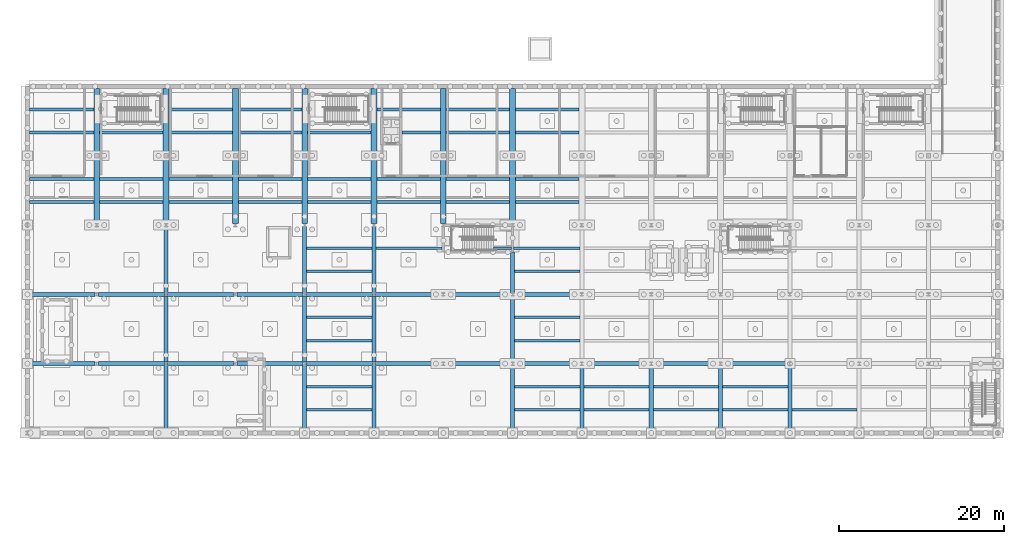
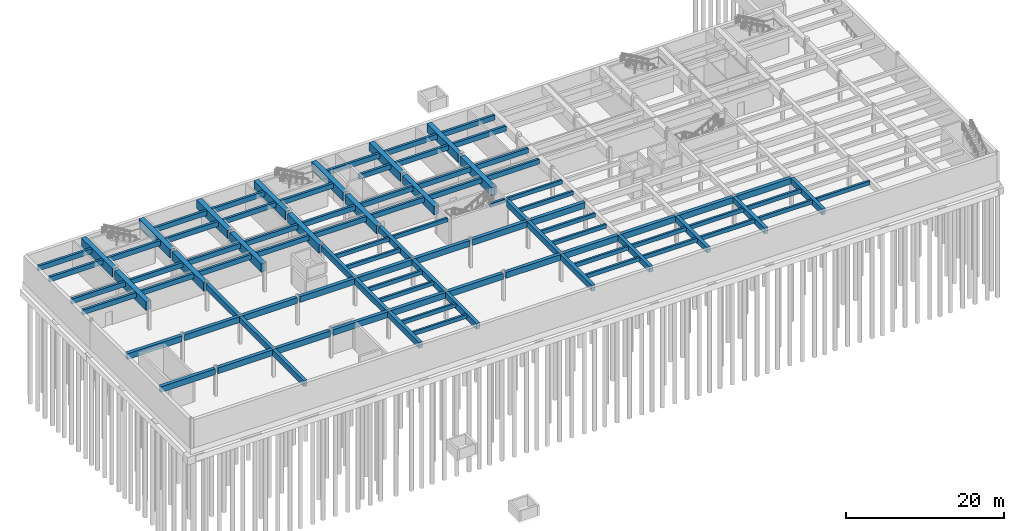
# One storey, part 17 of 33: 100 beams.
"""IFC4 building model written with IfcOpenShell, lengths in metres."""

import ifcopenshell
import ifcopenshell.guid

model = None  # the IFC model being written
_history = None  # IfcOwnerHistory: only IFC2X3 demands one
_inside = {}  # id of a spatial element -> (the spatial element, [elements in it])
_under = {}  # id of a project, library or spatial element -> (it, [spatial elements below it])
_declared = {}  # id of a project -> (the project, [libraries it declares])
_typed = {}  # id of a type object -> (the type object, [elements of that type])
_made_of = {}  # id of a material, layer set ... -> (it, [elements and type objects made of it])


def new_model(schema):
    """Start an empty IFC model of exactly this schema.

    Asked for "IFC4X3", IfcOpenShell would pick the latest addendum, in which some entities
    have other attributes; the version numbers below select the first issue.
    IFC2X3 requires an IfcOwnerHistory on every rooted entity: one is made here for all.
    """
    global model, _history
    if schema == "IFC4X3":
        model = ifcopenshell.file(schema_version=(4, 3, 0, 0))
    else:
        model = ifcopenshell.file(schema=schema)
    _inside.clear()
    _under.clear()
    _declared.clear()
    _typed.clear()
    _made_of.clear()
    _history = None
    if model.schema == "IFC2X3":
        org = make("IfcOrganization", Name="unknown")
        user = make(
            "IfcPersonAndOrganization",
            ThePerson=make("IfcPerson", FamilyName="unknown"),
            TheOrganization=org,
        )
        app = make(
            "IfcApplication",
            ApplicationDeveloper=org,
            Version="unknown",
            ApplicationFullName="unknown",
            ApplicationIdentifier="unknown",
        )
        _history = make(
            "IfcOwnerHistory",
            OwningUser=user,
            OwningApplication=app,
            ChangeAction="ADDED",
            CreationDate=0,
        )
    return model


def make(cls, **values):
    """One entity of the class cls with the attributes given. An attribute that is None is left unset."""
    return model.create_entity(
        cls, **{name: value for name, value in values.items() if value is not None}
    )


def rooted(cls, **values):
    """An entity with a GlobalId (a new one), such as an element, a storey or a relation."""
    return make(cls, GlobalId=ifcopenshell.guid.new(), OwnerHistory=_history, **values)


def si_unit(unit_type, name, prefix=None):
    """IfcSIUnit, for example si_unit("LENGTHUNIT", "METRE", prefix="MILLI")."""
    return make("IfcSIUnit", UnitType=unit_type, Prefix=prefix, Name=name)


def assignment(units):
    """IfcUnitAssignment: the units of a project."""
    return None if units is None else make("IfcUnitAssignment", Units=units)


def point(xyz):
    """IfcCartesianPoint."""
    return None if xyz is None else make("IfcCartesianPoint", Coordinates=xyz)


def direction(xyz):
    """IfcDirection."""
    return None if xyz is None else make("IfcDirection", DirectionRatios=xyz)


def frame(location, z_axis=None, x_axis=None):
    """IfcAxis2Placement3D, a coordinate frame: its origin and axes. An axis left out is left unset."""
    return make(
        "IfcAxis2Placement3D",
        Location=point(location),
        Axis=direction(z_axis),
        RefDirection=direction(x_axis),
    )


def frame_2d(location, x_axis=None):
    """IfcAxis2Placement2D, a coordinate frame in the plane: its origin and x axis."""
    return make(
        "IfcAxis2Placement2D", Location=point(location), RefDirection=direction(x_axis)
    )


def origin():
    """The frame at (0, 0, 0) with its axes left unset."""
    return frame((0.0, 0.0, 0.0))


def origin_2d():
    """The frame at (0, 0) in the plane with its x axis left unset."""
    return frame_2d((0.0, 0.0))


def place(relative_to, where):
    """IfcLocalPlacement: puts the frame where relative to a parent placement (None: the world)."""
    return make(
        "IfcLocalPlacement", PlacementRelTo=relative_to, RelativePlacement=where
    )


def context(
    kind, dimensions, precision=None, world=None, true_north=None, identifier=None
):
    """IfcGeometricRepresentationContext, for example the 3D "Model" context."""
    return make(
        "IfcGeometricRepresentationContext",
        ContextIdentifier=identifier,
        ContextType=kind,
        CoordinateSpaceDimension=dimensions,
        Precision=precision,
        WorldCoordinateSystem=world,
        TrueNorth=true_north,
    )


def subcontext(parent, identifier, kind, view, scale=None):
    """IfcGeometricRepresentationSubContext, for example "Body" below "Model"."""
    return make(
        "IfcGeometricRepresentationSubContext",
        ContextIdentifier=identifier,
        ContextType=kind,
        ParentContext=parent,
        TargetScale=scale,
        TargetView=view,
    )


def project(units=None, contexts=None):
    """IfcProject with its units and contexts."""
    return rooted(
        "IfcProject",
        Name="project",
        RepresentationContexts=contexts,
        UnitsInContext=assignment(units),
    )


def spatial(cls, under=None, at=None, **own):
    """A site, building, storey or space (cls), placed at a placement, below another one or the project."""
    s = rooted(cls, ObjectPlacement=at, **own)
    if under is not None:
        _under.setdefault(under.id(), (under, []))[1].append(s)
    return s


def profile(cls, at=None, kind="AREA", **sizes):
    """A parametric profile (cls). Its sizes go by their IFC names, for example OverallWidth=200.0."""
    return make(cls, ProfileType=kind, Position=at, **sizes)


def rectangle(**sizes):
    """IfcRectangleProfileDef."""
    return profile("IfcRectangleProfileDef", **sizes)


def extrude(swept, where, along, depth):
    """IfcExtrudedAreaSolid: the profile swept, set in the frame where, extruded along a direction by depth."""
    return make(
        "IfcExtrudedAreaSolid",
        SweptArea=swept,
        Position=where,
        ExtrudedDirection=direction(along),
        Depth=depth,
    )


def shape(context_of_items, identifier, shape_type, items):
    """IfcShapeRepresentation: the items that make up one representation, for example the "Body"."""
    return make(
        "IfcShapeRepresentation",
        ContextOfItems=context_of_items,
        RepresentationIdentifier=identifier,
        RepresentationType=shape_type,
        Items=items,
    )


def material(Name=None, Category=None):
    """IfcMaterial."""
    return make("IfcMaterial", Name=Name, Category=Category)


def material_profile(
    of_material, cross_section, Name=None, Category=None, Priority=None
):
    """IfcMaterialProfile: a cross section and its material."""
    return make(
        "IfcMaterialProfile",
        Name=Name,
        Material=of_material,
        Profile=cross_section,
        Priority=Priority,
        Category=Category,
    )


def profile_set(profiles, Name=None, composite=None):
    """IfcMaterialProfileSet."""
    return make(
        "IfcMaterialProfileSet",
        Name=Name,
        MaterialProfiles=profiles,
        CompositeProfile=composite,
    )


def made_of(thing, what):
    """Note that an element or type object is made of a material, layer set ...; save() writes the relation."""
    if what is not None:
        _made_of.setdefault(what.id(), (what, []))[1].append(thing)
    return thing


def type_object(cls, material=None, **own):
    """A type object (cls), such as IfcWallType, which elements share."""
    return made_of(rooted(cls, **own), material)


def element(
    cls,
    number,
    at=None,
    inside=None,
    cuts=None,
    type_object=None,
    material=None,
    context=None,
    identifier="Body",
    shape_type=None,
    held_by="IfcProductDefinitionShape",
    body=None,
    shapes=None,
    **own,
):
    """One element of the class cls, such as IfcWall. Its Tag is "e" and its number.

    at: its placement. inside: the storey or other place that contains it. cuts: it is an
    opening in that element (IfcRelVoidsElement). A single representation is given by context,
    identifier, shape_type and body (its items); several are given by shapes. held_by: the class
    of the entity that holds the representations. save() writes the other relations.
    """
    e = rooted(cls, Tag="e%d" % number, ObjectPlacement=at, **own)
    if body is not None:
        shapes = [shape(context, identifier, shape_type, body)]
    if shapes is not None:
        e.Representation = make(held_by, Representations=shapes)
    if inside is not None:
        _inside.setdefault(inside.id(), (inside, []))[1].append(e)
    if cuts is not None:
        rooted(
            "IfcRelVoidsElement", RelatingBuildingElement=cuts, RelatedOpeningElement=e
        )
    if type_object is not None:
        _typed.setdefault(type_object.id(), (type_object, []))[1].append(e)
    return made_of(e, material)


def aggregate(whole, parts):
    """IfcRelAggregates: a whole, such as a stair, and the parts it consists of."""
    return rooted("IfcRelAggregates", RelatingObject=whole, RelatedObjects=parts)


def save(model, path):
    """Write the relations noted so far, then the file.

    IfcRelAggregates (storeys below a building ...), IfcRelContainedInSpatialStructure (elements
    in a storey), IfcRelDefinesByType, IfcRelAssociatesMaterial and IfcRelDeclares: one each for
    every whole, place, type object, material and project.
    """
    for whole, parts in _under.values():
        aggregate(whole, parts)
    for where, things in _inside.values():
        rooted(
            "IfcRelContainedInSpatialStructure",
            RelatedElements=things,
            RelatingStructure=where,
        )
    for kind, things in _typed.values():
        rooted("IfcRelDefinesByType", RelatedObjects=things, RelatingType=kind)
    for what, things in _made_of.values():
        rooted("IfcRelAssociatesMaterial", RelatedObjects=things, RelatingMaterial=what)
    for by, libraries in _declared.values():
        rooted("IfcRelDeclares", RelatingContext=by, RelatedDefinitions=libraries)
    model.write(path)


model = new_model("IFC4")

# Units and contexts
model_context = context("Model", 3, precision=1e-05, world=origin(), true_north=direction((0.0, 1.0)))
body_context = subcontext(model_context, "Body", "Model", "MODEL_VIEW")
ifc_project = project(units=[si_unit("LENGTHUNIT", "METRE"), si_unit("AREAUNIT", "SQUARE_METRE"), si_unit("VOLUMEUNIT", "CUBIC_METRE"), si_unit("PLANEANGLEUNIT", "RADIAN"), si_unit("MASSUNIT", "GRAM", prefix="KILO")], contexts=[model_context])

# Site, building, storey
site_placement = place(None, origin())
site = spatial("IfcSite", under=ifc_project, at=site_placement, CompositionType="ELEMENT")
building_placement = place(site_placement, origin())
building = spatial("IfcBuilding", under=site, at=building_placement, Name="Ljudholm Concert House", CompositionType="ELEMENT")
storey_placement = place(building_placement, frame((0.0, 0.0, -4.60009765625)))
storey = spatial("IfcBuildingStorey", under=building, at=storey_placement, Name="B1", CompositionType="ELEMENT", Elevation=-4.60009765625)

# Beams
ifc_material_1 = material(Name="Concrete 6,500 psi", Category="concrete")
ifc_material_profile_1 = material_profile(ifc_material_1, rectangle(XDim=0.300048828125, YDim=0.60009765625, at=origin_2d()), Name="RC BEAM 300x600")
ifc_profile_set_1 = profile_set([ifc_material_profile_1], Name="Concrete 6,500 psi")
beam_type_1 = type_object("IfcBeamType", Name="RC BEAM 300x600", PredefinedType="BEAM", material=ifc_profile_set_1)
for number, where, z_axis, x_axis, name in (
    (1, (37.85009765625, 107.60009765625, 4.0), (1.0, 0.0, 0.0), (0.0, 1.0, 0.0), "Deck beam"),
    (2, (37.85009765625, 110.39990234375, 4.0), (1.0, 0.0, 0.0), (0.0, 1.0, 0.0), "Deck beam"),
    (3, (63.050048828125, 107.60009765625, 4.0), (1.0, 0.0, 0.0), (0.0, 1.0, 0.0), "Deck beam"),
    (4, (63.050048828125, 110.39990234375, 4.0), (1.0, 0.0, 0.0), (0.0, 1.0, 0.0), "Deck beam"),
):
    element("IfcBeam", number, at=place(storey_placement, frame(where, z_axis=z_axis, x_axis=x_axis)), inside=storey, type_object=beam_type_1, Name=name, PredefinedType="BEAM", context=body_context, shape_type="SweptSolid", body=[
        extrude(rectangle(XDim=0.300048828125, YDim=0.60009765625, at=origin_2d()), origin(), (0.0, 0.0, 1.0), 7.89990234375),
    ])
for number, where, z_axis, x_axis, name in (
    (5, (71.449951171875, 107.60009765625, 4.0), (1.0, 0.0, 0.0), (0.0, 1.0, 0.0), "Deck beam"),
    (6, (71.449951171875, 110.39990234375, 4.0), (1.0, 0.0, 0.0), (0.0, 1.0, 0.0), "Deck beam"),
):
    element("IfcBeam", number, at=place(storey_placement, frame(where, z_axis=z_axis, x_axis=x_axis)), inside=storey, type_object=beam_type_1, Name=name, PredefinedType="BEAM", context=body_context, shape_type="SweptSolid", body=[
        extrude(rectangle(XDim=0.300048828125, YDim=0.60009765625, at=origin_2d()), origin(), (0.0, 0.0, 1.0), 7.900146484375),
    ])
for number, where, z_axis, x_axis, name in (
    (7, (79.85009765625, 107.60009765625, 4.0), (1.0, 0.0, 0.0), (0.0, 1.0, 0.0), "Deck beam"),
    (8, (79.85009765625, 110.39990234375, 4.0), (1.0, 0.0, 0.0), (0.0, 1.0, 0.0), "Deck beam"),
    (9, (88.25, 107.60009765625, 4.0), (1.0, 0.0, 0.0), (0.0, 1.0, 0.0), "Deck beam"),
    (10, (88.25, 110.39990234375, 4.0), (1.0, 0.0, 0.0), (0.0, 1.0, 0.0), "Deck beam"),
):
    element("IfcBeam", number, at=place(storey_placement, frame(where, z_axis=z_axis, x_axis=x_axis)), inside=storey, type_object=beam_type_1, Name=name, PredefinedType="BEAM", context=body_context, shape_type="SweptSolid", body=[
        extrude(rectangle(XDim=0.300048828125, YDim=0.60009765625, at=origin_2d()), origin(), (0.0, 0.0, 1.0), 7.89990234375),
    ])
beam_1_placement = place(storey_placement, frame((96.64990234375, 107.60009765625, 4.0), z_axis=(1.0, 0.0, 0.0), x_axis=(0.0, 1.0, 0.0)))
element("IfcBeam", 11, at=beam_1_placement, inside=storey, type_object=beam_type_1, Name="Deck beam", PredefinedType="BEAM", context=body_context, shape_type="SweptSolid", body=[
    extrude(rectangle(XDim=0.300048828125, YDim=0.60009765625, at=origin_2d()), origin(), (0.0, 0.0, 1.0), 7.900146484375),
])
for number, where, z_axis, x_axis, name in (
    (12, (37.85009765625, 116.0, 4.0), (1.0, 0.0, 0.0), (0.0, 1.0, 0.0), "Deck beam"),
    (13, (37.85009765625, 118.800048828125, 4.0), (1.0, 0.0, 0.0), (0.0, 1.0, 0.0), "Deck beam"),
    (14, (63.050048828125, 116.0, 4.0), (1.0, 0.0, 0.0), (0.0, 1.0, 0.0), "Deck beam"),
    (15, (63.050048828125, 118.800048828125, 4.0), (1.0, 0.0, 0.0), (0.0, 1.0, 0.0), "Deck beam"),
    (16, (37.85009765625, 124.39990234375, 4.0), (1.0, 0.0, 0.0), (0.0, 1.0, 0.0), "Deck beam"),
    (17, (37.85009765625, 127.199951171875, 4.0), (1.0, 0.0, 0.0), (0.0, 1.0, 0.0), "Deck beam"),
):
    element("IfcBeam", number, at=place(storey_placement, frame(where, z_axis=z_axis, x_axis=x_axis)), inside=storey, type_object=beam_type_1, Name=name, PredefinedType="BEAM", context=body_context, shape_type="SweptSolid", body=[
        extrude(rectangle(XDim=0.300048828125, YDim=0.60009765625, at=origin_2d()), origin(), (0.0, 0.0, 1.0), 7.89990234375),
    ])
beam_2_placement = place(storey_placement, frame((46.25, 127.199951171875, 4.0), z_axis=(1.0, 0.0, 0.0), x_axis=(0.0, 1.0, 0.0)))
element("IfcBeam", 18, at=beam_2_placement, inside=storey, type_object=beam_type_1, Name="Deck beam", PredefinedType="BEAM", context=body_context, shape_type="SweptSolid", body=[
    extrude(rectangle(XDim=0.300048828125, YDim=0.60009765625, at=origin_2d()), origin(), (0.0, 0.0, 1.0), 8.0),
])
beam_3_placement = place(storey_placement, frame((60.494384765625, 127.199951171875, 4.0), z_axis=(1.0, 0.0, 0.0), x_axis=(0.0, 1.0, 0.0)))
element("IfcBeam", 19, at=beam_3_placement, inside=storey, type_object=beam_type_1, Name="Deck beam", PredefinedType="BEAM", context=body_context, shape_type="SweptSolid", body=[
    extrude(rectangle(XDim=0.300048828125, YDim=0.60009765625, at=origin_2d()), origin(), (0.0, 0.0, 1.0), 2.1806640625),
])
beam_4_placement = place(storey_placement, frame((63.050048828125, 124.39990234375, 4.0), z_axis=(1.0, 0.0, 0.0), x_axis=(0.0, 1.0, 0.0)))
element("IfcBeam", 20, at=beam_4_placement, inside=storey, type_object=beam_type_1, Name="Deck beam", PredefinedType="BEAM", context=body_context, shape_type="SweptSolid", body=[
    extrude(rectangle(XDim=0.300048828125, YDim=0.60009765625, at=origin_2d()), origin(), (0.0, 0.0, 1.0), 7.89990234375),
])
beam_5_placement = place(storey_placement, frame((62.925048828125, 127.199951171875, 4.0), z_axis=(1.0, 0.0, 0.0), x_axis=(0.0, 1.0, 0.0)))
element("IfcBeam", 21, at=beam_5_placement, inside=storey, type_object=beam_type_1, Name="Deck beam", PredefinedType="BEAM", context=body_context, shape_type="SweptSolid", body=[
    extrude(rectangle(XDim=0.300048828125, YDim=0.60009765625, at=origin_2d()), origin(), (0.0, 0.0, 1.0), 8.02490234375),
])
ifc_material_2 = material(Name="Concrete 6,500 psi", Category="concrete")
ifc_material_profile_2 = material_profile(ifc_material_2, rectangle(XDim=0.35009765625, YDim=0.75, at=origin_2d()), Name="RC BEAM 350x750")
ifc_profile_set_2 = profile_set([ifc_material_profile_2], Name="Concrete 6,500 psi")
beam_type_2 = type_object("IfcBeamType", Name="RC BEAM 350x750", PredefinedType="BEAM", material=ifc_profile_set_2)
beam_6_placement = place(storey_placement, frame((4.25, 132.800048828125, 3.815185546875), z_axis=(1.0, 0.0, 0.0), x_axis=(0.0, 1.0, 0.0)))
element("IfcBeam", 22, at=beam_6_placement, inside=storey, type_object=beam_type_2, Name="Deck beam", PredefinedType="BEAM", context=body_context, shape_type="SweptSolid", body=[
    extrude(rectangle(XDim=0.35009765625, YDim=0.75, at=origin_2d()), origin(), (0.0, 0.0, 1.0), 7.800048828125),
])
beam_7_placement = place(storey_placement, frame((12.75, 132.800048828125, 3.815185546875), z_axis=(1.0, 0.0, 0.0), x_axis=(0.0, 1.0, 0.0)))
element("IfcBeam", 23, at=beam_7_placement, inside=storey, type_object=beam_type_2, Name="Deck beam", PredefinedType="BEAM", context=body_context, shape_type="SweptSolid", body=[
    extrude(rectangle(XDim=0.35009765625, YDim=0.75, at=origin_2d()), origin(), (0.0, 0.0, 1.0), 7.699951171875),
])
beam_8_placement = place(storey_placement, frame((21.14990234375, 132.800048828125, 3.815185546875), z_axis=(1.0, 0.0, 0.0), x_axis=(0.0, 1.0, 0.0)))
element("IfcBeam", 24, at=beam_8_placement, inside=storey, type_object=beam_type_2, Name="Deck beam", PredefinedType="BEAM", context=body_context, shape_type="SweptSolid", body=[
    extrude(rectangle(XDim=0.35009765625, YDim=0.75, at=origin_2d()), origin(), (0.0, 0.0, 1.0), 7.7001953125),
])
for number, where, z_axis, x_axis, name in (
    (25, (29.550048828125, 132.800048828125, 3.815185546875), (1.0, 0.0, 0.0), (0.0, 1.0, 0.0), "Deck beam"),
    (26, (37.949951171875, 132.800048828125, 3.815185546875), (1.0, 0.0, 0.0), (0.0, 1.0, 0.0), "Deck beam"),
    (27, (46.35009765625, 132.800048828125, 3.815185546875), (1.0, 0.0, 0.0), (0.0, 1.0, 0.0), "Deck beam"),
    (28, (54.75, 132.800048828125, 3.815185546875), (1.0, 0.0, 0.0), (0.0, 1.0, 0.0), "Deck beam"),
):
    element("IfcBeam", number, at=place(storey_placement, frame(where, z_axis=z_axis, x_axis=x_axis)), inside=storey, type_object=beam_type_2, Name=name, PredefinedType="BEAM", context=body_context, shape_type="SweptSolid", body=[
        extrude(rectangle(XDim=0.35009765625, YDim=0.75, at=origin_2d()), origin(), (0.0, 0.0, 1.0), 7.699951171875),
    ])
beam_9_placement = place(storey_placement, frame((63.14990234375, 132.800048828125, 3.815185546875), z_axis=(1.0, 0.0, 0.0), x_axis=(0.0, 1.0, 0.0)))
element("IfcBeam", 29, at=beam_9_placement, inside=storey, type_object=beam_type_2, Name="Deck beam", PredefinedType="BEAM", context=body_context, shape_type="SweptSolid", body=[
    extrude(rectangle(XDim=0.35009765625, YDim=0.75, at=origin_2d()), origin(), (0.0, 0.0, 1.0), 7.7001953125),
])
beam_10_placement = place(storey_placement, frame((4.25, 135.60009765625, 3.815185546875), z_axis=(1.0, 0.0, 0.0), x_axis=(0.0, 1.0, 0.0)))
element("IfcBeam", 30, at=beam_10_placement, inside=storey, type_object=beam_type_2, Name="Deck beam", PredefinedType="BEAM", context=body_context, shape_type="SweptSolid", body=[
    extrude(rectangle(XDim=0.35009765625, YDim=0.75, at=origin_2d()), origin(), (0.0, 0.0, 1.0), 7.800048828125),
])
beam_11_placement = place(storey_placement, frame((12.75, 135.60009765625, 3.815185546875), z_axis=(1.0, 0.0, 0.0), x_axis=(0.0, 1.0, 0.0)))
element("IfcBeam", 31, at=beam_11_placement, inside=storey, type_object=beam_type_2, Name="Deck beam", PredefinedType="BEAM", context=body_context, shape_type="SweptSolid", body=[
    extrude(rectangle(XDim=0.35009765625, YDim=0.75, at=origin_2d()), origin(), (0.0, 0.0, 1.0), 7.699951171875),
])
beam_12_placement = place(storey_placement, frame((21.14990234375, 135.60009765625, 3.815185546875), z_axis=(1.0, 0.0, 0.0), x_axis=(0.0, 1.0, 0.0)))
element("IfcBeam", 32, at=beam_12_placement, inside=storey, type_object=beam_type_2, Name="Deck beam", PredefinedType="BEAM", context=body_context, shape_type="SweptSolid", body=[
    extrude(rectangle(XDim=0.35009765625, YDim=0.75, at=origin_2d()), origin(), (0.0, 0.0, 1.0), 7.7001953125),
])
for number, where, z_axis, x_axis, name in (
    (33, (29.550048828125, 135.60009765625, 3.815185546875), (1.0, 0.0, 0.0), (0.0, 1.0, 0.0), "Deck beam"),
    (34, (37.949951171875, 135.60009765625, 3.815185546875), (1.0, 0.0, 0.0), (0.0, 1.0, 0.0), "Deck beam"),
    (35, (46.35009765625, 135.60009765625, 3.815185546875), (1.0, 0.0, 0.0), (0.0, 1.0, 0.0), "Deck beam"),
    (36, (54.75, 135.60009765625, 3.815185546875), (1.0, 0.0, 0.0), (0.0, 1.0, 0.0), "Deck beam"),
):
    element("IfcBeam", number, at=place(storey_placement, frame(where, z_axis=z_axis, x_axis=x_axis)), inside=storey, type_object=beam_type_2, Name=name, PredefinedType="BEAM", context=body_context, shape_type="SweptSolid", body=[
        extrude(rectangle(XDim=0.35009765625, YDim=0.75, at=origin_2d()), origin(), (0.0, 0.0, 1.0), 7.699951171875),
    ])
beam_13_placement = place(storey_placement, frame((63.14990234375, 135.60009765625, 3.815185546875), z_axis=(1.0, 0.0, 0.0), x_axis=(0.0, 1.0, 0.0)))
element("IfcBeam", 37, at=beam_13_placement, inside=storey, type_object=beam_type_2, Name="Deck beam", PredefinedType="BEAM", context=body_context, shape_type="SweptSolid", body=[
    extrude(rectangle(XDim=0.35009765625, YDim=0.75, at=origin_2d()), origin(), (0.0, 0.0, 1.0), 7.7001953125),
])
beam_14_placement = place(storey_placement, frame((4.25, 141.199951171875, 3.815185546875), z_axis=(1.0, 0.0, 0.0), x_axis=(0.0, 1.0, 0.0)))
element("IfcBeam", 38, at=beam_14_placement, inside=storey, type_object=beam_type_2, Name="Deck beam", PredefinedType="BEAM", context=body_context, shape_type="SweptSolid", body=[
    extrude(rectangle(XDim=0.35009765625, YDim=0.75, at=origin_2d()), origin(), (0.0, 0.0, 1.0), 7.800048828125),
])
beam_15_placement = place(storey_placement, frame((12.75, 141.199951171875, 3.815185546875), z_axis=(1.0, 0.0, 0.0), x_axis=(0.0, 1.0, 0.0)))
element("IfcBeam", 39, at=beam_15_placement, inside=storey, type_object=beam_type_2, Name="Deck beam", PredefinedType="BEAM", context=body_context, shape_type="SweptSolid", body=[
    extrude(rectangle(XDim=0.35009765625, YDim=0.75, at=origin_2d()), origin(), (0.0, 0.0, 1.0), 7.699951171875),
])
beam_16_placement = place(storey_placement, frame((21.14990234375, 141.199951171875, 3.815185546875), z_axis=(1.0, 0.0, 0.0), x_axis=(0.0, 1.0, 0.0)))
element("IfcBeam", 40, at=beam_16_placement, inside=storey, type_object=beam_type_2, Name="Deck beam", PredefinedType="BEAM", context=body_context, shape_type="SweptSolid", body=[
    extrude(rectangle(XDim=0.35009765625, YDim=0.75, at=origin_2d()), origin(), (0.0, 0.0, 1.0), 7.7001953125),
])
for number, where, z_axis, x_axis, name in (
    (41, (29.550048828125, 141.199951171875, 3.815185546875), (1.0, 0.0, 0.0), (0.0, 1.0, 0.0), "Deck beam"),
    (42, (37.949951171875, 141.199951171875, 3.815185546875), (1.0, 0.0, 0.0), (0.0, 1.0, 0.0), "Deck beam"),
):
    element("IfcBeam", number, at=place(storey_placement, frame(where, z_axis=z_axis, x_axis=x_axis)), inside=storey, type_object=beam_type_2, Name=name, PredefinedType="BEAM", context=body_context, shape_type="SweptSolid", body=[
        extrude(rectangle(XDim=0.35009765625, YDim=0.75, at=origin_2d()), origin(), (0.0, 0.0, 1.0), 7.699951171875),
    ])
beam_17_placement = place(storey_placement, frame((49.39990234375, 141.199951171875, 3.815185546875), z_axis=(1.0, 0.0, 0.0), x_axis=(0.0, 1.0, 0.0)))
element("IfcBeam", 43, at=beam_17_placement, inside=storey, type_object=beam_type_2, Name="Deck beam", PredefinedType="BEAM", context=body_context, shape_type="SweptSolid", body=[
    extrude(rectangle(XDim=0.35009765625, YDim=0.75, at=origin_2d()), origin(), (0.0, 0.0, 1.0), 4.650146484375),
])
beam_18_placement = place(storey_placement, frame((54.75, 141.199951171875, 3.815185546875), z_axis=(1.0, 0.0, 0.0), x_axis=(0.0, 1.0, 0.0)))
element("IfcBeam", 44, at=beam_18_placement, inside=storey, type_object=beam_type_2, Name="Deck beam", PredefinedType="BEAM", context=body_context, shape_type="SweptSolid", body=[
    extrude(rectangle(XDim=0.35009765625, YDim=0.75, at=origin_2d()), origin(), (0.0, 0.0, 1.0), 7.699951171875),
])
beam_19_placement = place(storey_placement, frame((63.14990234375, 141.199951171875, 3.815185546875), z_axis=(1.0, 0.0, 0.0), x_axis=(0.0, 1.0, 0.0)))
element("IfcBeam", 45, at=beam_19_placement, inside=storey, type_object=beam_type_2, Name="Deck beam", PredefinedType="BEAM", context=body_context, shape_type="SweptSolid", body=[
    extrude(rectangle(XDim=0.35009765625, YDim=0.75, at=origin_2d()), origin(), (0.0, 0.0, 1.0), 7.7001953125),
])
beam_20_placement = place(storey_placement, frame((4.25, 144.0, 3.815185546875), z_axis=(1.0, 0.0, 0.0), x_axis=(0.0, 1.0, 0.0)))
element("IfcBeam", 46, at=beam_20_placement, inside=storey, type_object=beam_type_2, Name="Deck beam", PredefinedType="BEAM", context=body_context, shape_type="SweptSolid", body=[
    extrude(rectangle(XDim=0.35009765625, YDim=0.75, at=origin_2d()), origin(), (0.0, 0.0, 1.0), 7.800048828125),
])
beam_21_placement = place(storey_placement, frame((21.14990234375, 144.0, 3.815185546875), z_axis=(1.0, 0.0, 0.0), x_axis=(0.0, 1.0, 0.0)))
element("IfcBeam", 47, at=beam_21_placement, inside=storey, type_object=beam_type_2, Name="Deck beam", PredefinedType="BEAM", context=body_context, shape_type="SweptSolid", body=[
    extrude(rectangle(XDim=0.35009765625, YDim=0.75, at=origin_2d()), origin(), (0.0, 0.0, 1.0), 7.7001953125),
])
for number, where, z_axis, x_axis, name in (
    (48, (29.550048828125, 144.0, 3.815185546875), (1.0, 0.0, 0.0), (0.0, 1.0, 0.0), "Deck beam"),
    (49, (46.35009765625, 144.0, 3.815185546875), (1.0, 0.0, 0.0), (0.0, 1.0, 0.0), "Deck beam"),
    (50, (54.75, 144.0, 3.815185546875), (1.0, 0.0, 0.0), (0.0, 1.0, 0.0), "Deck beam"),
):
    element("IfcBeam", number, at=place(storey_placement, frame(where, z_axis=z_axis, x_axis=x_axis)), inside=storey, type_object=beam_type_2, Name=name, PredefinedType="BEAM", context=body_context, shape_type="SweptSolid", body=[
        extrude(rectangle(XDim=0.35009765625, YDim=0.75, at=origin_2d()), origin(), (0.0, 0.0, 1.0), 7.699951171875),
    ])
beam_22_placement = place(storey_placement, frame((63.14990234375, 144.0, 3.815185546875), z_axis=(1.0, 0.0, 0.0), x_axis=(0.0, 1.0, 0.0)))
element("IfcBeam", 51, at=beam_22_placement, inside=storey, type_object=beam_type_2, Name="Deck beam", PredefinedType="BEAM", context=body_context, shape_type="SweptSolid", body=[
    extrude(rectangle(XDim=0.35009765625, YDim=0.75, at=origin_2d()), origin(), (0.0, 0.0, 1.0), 7.7001953125),
])
ifc_material_3 = material(Name="Concrete 6,500 psi", Category="concrete")
ifc_material_profile_3 = material_profile(ifc_material_3, rectangle(XDim=0.5, YDim=0.89990234375, at=origin_2d()), Name="RC BEAM 500x900")
ifc_profile_set_3 = profile_set([ifc_material_profile_3], Name="Concrete 6,500 psi")
beam_type_3 = type_object("IfcBeamType", Name="RC BEAM 500x900", PredefinedType="BEAM", material=ifc_profile_set_3)
beam_23_placement = place(storey_placement, frame((20.800048828125, 105.050048828125, 3.85009765625), z_axis=(0.0, 1.0, 0.0), x_axis=(-1.0, 0.0, 0.0)))
element("IfcBeam", 52, at=beam_23_placement, inside=storey, type_object=beam_type_3, Name="Deck girder", PredefinedType="BEAM", context=body_context, shape_type="SweptSolid", body=[
    extrude(rectangle(XDim=0.5, YDim=0.89990234375, at=origin_2d()), origin(), (0.0, 0.0, 1.0), 7.96337890625),
])
for number, where, z_axis, x_axis, name in (
    (53, (20.800048828125, 113.38671875, 3.85009765625), (0.0, 1.0, 0.0), (-1.0, 0.0, 0.0), "Deck girder"),
    (54, (20.800048828125, 121.78662109375, 3.85009765625), (0.0, 1.0, 0.0), (-1.0, 0.0, 0.0), "Deck girder"),
):
    element("IfcBeam", number, at=place(storey_placement, frame(where, z_axis=z_axis, x_axis=x_axis)), inside=storey, type_object=beam_type_3, Name=name, PredefinedType="BEAM", context=body_context, shape_type="SweptSolid", body=[
        extrude(rectangle(XDim=0.5, YDim=0.89990234375, at=origin_2d()), origin(), (0.0, 0.0, 1.0), 8.026611328125),
    ])
beam_24_placement = place(storey_placement, frame((37.60009765625, 105.050048828125, 3.85009765625), z_axis=(0.0, 1.0, 0.0), x_axis=(-1.0, 0.0, 0.0)))
element("IfcBeam", 55, at=beam_24_placement, inside=storey, type_object=beam_type_3, Name="Deck girder", PredefinedType="BEAM", context=body_context, shape_type="SweptSolid", body=[
    extrude(rectangle(XDim=0.5, YDim=0.89990234375, at=origin_2d()), origin(), (0.0, 0.0, 1.0), 7.96337890625),
])
for number, where, z_axis, x_axis, name in (
    (56, (37.60009765625, 113.38671875, 3.85009765625), (0.0, 1.0, 0.0), (-1.0, 0.0, 0.0), "Deck girder"),
    (57, (37.60009765625, 121.78662109375, 3.85009765625), (0.0, 1.0, 0.0), (-1.0, 0.0, 0.0), "Deck girder"),
):
    element("IfcBeam", number, at=place(storey_placement, frame(where, z_axis=z_axis, x_axis=x_axis)), inside=storey, type_object=beam_type_3, Name=name, PredefinedType="BEAM", context=body_context, shape_type="SweptSolid", body=[
        extrude(rectangle(XDim=0.5, YDim=0.89990234375, at=origin_2d()), origin(), (0.0, 0.0, 1.0), 8.026611328125),
    ])
beam_25_placement = place(storey_placement, frame((46.0, 105.050048828125, 3.85009765625), z_axis=(0.0, 1.0, 0.0), x_axis=(-1.0, 0.0, 0.0)))
element("IfcBeam", 58, at=beam_25_placement, inside=storey, type_object=beam_type_3, Name="Deck girder", PredefinedType="BEAM", context=body_context, shape_type="SweptSolid", body=[
    extrude(rectangle(XDim=0.5, YDim=0.89990234375, at=origin_2d()), origin(), (0.0, 0.0, 1.0), 7.96337890625),
])
for number, where, z_axis, x_axis, name in (
    (59, (46.0, 113.38671875, 3.85009765625), (0.0, 1.0, 0.0), (-1.0, 0.0, 0.0), "Deck girder"),
    (60, (46.0, 121.78662109375, 3.85009765625), (0.0, 1.0, 0.0), (-1.0, 0.0, 0.0), "Deck girder"),
):
    element("IfcBeam", number, at=place(storey_placement, frame(where, z_axis=z_axis, x_axis=x_axis)), inside=storey, type_object=beam_type_3, Name=name, PredefinedType="BEAM", context=body_context, shape_type="SweptSolid", body=[
        extrude(rectangle(XDim=0.5, YDim=0.89990234375, at=origin_2d()), origin(), (0.0, 0.0, 1.0), 8.026611328125),
    ])
beam_26_placement = place(storey_placement, frame((62.800048828125, 105.050048828125, 3.85009765625), z_axis=(0.0, 1.0, 0.0), x_axis=(-1.0, 0.0, 0.0)))
element("IfcBeam", 61, at=beam_26_placement, inside=storey, type_object=beam_type_3, Name="Deck girder", PredefinedType="BEAM", context=body_context, shape_type="SweptSolid", body=[
    extrude(rectangle(XDim=0.5, YDim=0.89990234375, at=origin_2d()), origin(), (0.0, 0.0, 1.0), 7.96337890625),
])
beam_27_placement = place(storey_placement, frame((62.800048828125, 113.38671875, 3.85009765625), z_axis=(0.0, 1.0, 0.0), x_axis=(-1.0, 0.0, 0.0)))
element("IfcBeam", 62, at=beam_27_placement, inside=storey, type_object=beam_type_3, Name="Deck girder", PredefinedType="BEAM", context=body_context, shape_type="SweptSolid", body=[
    extrude(rectangle(XDim=0.5, YDim=0.89990234375, at=origin_2d()), origin(), (0.0, 0.0, 1.0), 8.026611328125),
])
beam_28_placement = place(storey_placement, frame((62.800048828125, 121.78662109375, 3.85009765625), z_axis=(0.0, 1.0, 0.0), x_axis=(-1.0, 0.0, 0.0)))
element("IfcBeam", 63, at=beam_28_placement, inside=storey, type_object=beam_type_3, Name="Deck girder", PredefinedType="BEAM", context=body_context, shape_type="SweptSolid", body=[
    extrude(rectangle(XDim=0.5, YDim=0.89990234375, at=origin_2d()), origin(), (0.0, 0.0, 1.0), 4.9384765625),
])
for number, where, z_axis, x_axis, name in (
    (64, (71.199951171875, 105.050048828125, 3.85009765625), (0.0, 1.0, 0.0), (-1.0, 0.0, 0.0), "Deck girder"),
    (65, (79.60009765625, 105.050048828125, 3.85009765625), (0.0, 1.0, 0.0), (-1.0, 0.0, 0.0), "Deck girder"),
    (66, (88.0, 105.050048828125, 3.85009765625), (0.0, 1.0, 0.0), (-1.0, 0.0, 0.0), "Deck girder"),
    (67, (96.39990234375, 105.050048828125, 3.85009765625), (0.0, 1.0, 0.0), (-1.0, 0.0, 0.0), "Deck girder"),
    (68, (4.25, 113.199951171875, 3.85009765625), (1.0, 0.0, 0.0), (0.0, 1.0, 0.0), "Deck girder"),
):
    element("IfcBeam", number, at=place(storey_placement, frame(where, z_axis=z_axis, x_axis=x_axis)), inside=storey, type_object=beam_type_3, Name=name, PredefinedType="BEAM", context=body_context, shape_type="SweptSolid", body=[
        extrude(rectangle(XDim=0.5, YDim=0.89990234375, at=origin_2d()), origin(), (0.0, 0.0, 1.0), 7.96337890625),
    ])
beam_29_placement = place(storey_placement, frame((12.586669921875, 113.199951171875, 3.85009765625), z_axis=(1.0, 0.0, 0.0), x_axis=(0.0, 1.0, 0.0)))
element("IfcBeam", 69, at=beam_29_placement, inside=storey, type_object=beam_type_3, Name="Deck girder", PredefinedType="BEAM", context=body_context, shape_type="SweptSolid", body=[
    extrude(rectangle(XDim=0.5, YDim=0.89990234375, at=origin_2d()), origin(), (0.0, 0.0, 1.0), 8.026611328125),
])
beam_30_placement = place(storey_placement, frame((20.986572265625, 113.199951171875, 3.85009765625), z_axis=(1.0, 0.0, 0.0), x_axis=(0.0, 1.0, 0.0)))
element("IfcBeam", 70, at=beam_30_placement, inside=storey, type_object=beam_type_3, Name="Deck girder", PredefinedType="BEAM", context=body_context, shape_type="SweptSolid", body=[
    extrude(rectangle(XDim=0.5, YDim=0.89990234375, at=origin_2d()), origin(), (0.0, 0.0, 1.0), 8.02685546875),
])
for number, where, z_axis, x_axis, name in (
    (71, (29.38671875, 113.199951171875, 3.85009765625), (1.0, 0.0, 0.0), (0.0, 1.0, 0.0), "Deck girder"),
    (72, (37.78662109375, 113.199951171875, 3.85009765625), (1.0, 0.0, 0.0), (0.0, 1.0, 0.0), "Deck girder"),
    (73, (46.186767578125, 113.199951171875, 3.85009765625), (1.0, 0.0, 0.0), (0.0, 1.0, 0.0), "Deck girder"),
    (74, (54.586669921875, 113.199951171875, 3.85009765625), (1.0, 0.0, 0.0), (0.0, 1.0, 0.0), "Deck girder"),
):
    element("IfcBeam", number, at=place(storey_placement, frame(where, z_axis=z_axis, x_axis=x_axis)), inside=storey, type_object=beam_type_3, Name=name, PredefinedType="BEAM", context=body_context, shape_type="SweptSolid", body=[
        extrude(rectangle(XDim=0.5, YDim=0.89990234375, at=origin_2d()), origin(), (0.0, 0.0, 1.0), 8.026611328125),
    ])
beam_31_placement = place(storey_placement, frame((62.986572265625, 113.199951171875, 3.85009765625), z_axis=(1.0, 0.0, 0.0), x_axis=(0.0, 1.0, 0.0)))
element("IfcBeam", 75, at=beam_31_placement, inside=storey, type_object=beam_type_3, Name="Deck girder", PredefinedType="BEAM", context=body_context, shape_type="SweptSolid", body=[
    extrude(rectangle(XDim=0.5, YDim=0.89990234375, at=origin_2d()), origin(), (0.0, 0.0, 1.0), 8.02685546875),
])
for number, where, z_axis, x_axis, name in (
    (76, (71.38671875, 113.199951171875, 3.85009765625), (1.0, 0.0, 0.0), (0.0, 1.0, 0.0), "Deck girder"),
    (77, (79.78662109375, 113.199951171875, 3.85009765625), (1.0, 0.0, 0.0), (0.0, 1.0, 0.0), "Deck girder"),
    (78, (88.186767578125, 113.199951171875, 3.85009765625), (1.0, 0.0, 0.0), (0.0, 1.0, 0.0), "Deck girder"),
):
    element("IfcBeam", number, at=place(storey_placement, frame(where, z_axis=z_axis, x_axis=x_axis)), inside=storey, type_object=beam_type_3, Name=name, PredefinedType="BEAM", context=body_context, shape_type="SweptSolid", body=[
        extrude(rectangle(XDim=0.5, YDim=0.89990234375, at=origin_2d()), origin(), (0.0, 0.0, 1.0), 8.026611328125),
    ])
beam_32_placement = place(storey_placement, frame((4.25, 121.60009765625, 3.85009765625), z_axis=(1.0, 0.0, 0.0), x_axis=(0.0, 1.0, 0.0)))
element("IfcBeam", 79, at=beam_32_placement, inside=storey, type_object=beam_type_3, Name="Deck girder", PredefinedType="BEAM", context=body_context, shape_type="SweptSolid", body=[
    extrude(rectangle(XDim=0.5, YDim=0.89990234375, at=origin_2d()), origin(), (0.0, 0.0, 1.0), 7.96337890625),
])
beam_33_placement = place(storey_placement, frame((12.586669921875, 121.60009765625, 3.85009765625), z_axis=(1.0, 0.0, 0.0), x_axis=(0.0, 1.0, 0.0)))
element("IfcBeam", 80, at=beam_33_placement, inside=storey, type_object=beam_type_3, Name="Deck girder", PredefinedType="BEAM", context=body_context, shape_type="SweptSolid", body=[
    extrude(rectangle(XDim=0.5, YDim=0.89990234375, at=origin_2d()), origin(), (0.0, 0.0, 1.0), 8.026611328125),
])
beam_34_placement = place(storey_placement, frame((20.986572265625, 121.60009765625, 3.85009765625), z_axis=(1.0, 0.0, 0.0), x_axis=(0.0, 1.0, 0.0)))
element("IfcBeam", 81, at=beam_34_placement, inside=storey, type_object=beam_type_3, Name="Deck girder", PredefinedType="BEAM", context=body_context, shape_type="SweptSolid", body=[
    extrude(rectangle(XDim=0.5, YDim=0.89990234375, at=origin_2d()), origin(), (0.0, 0.0, 1.0), 8.02685546875),
])
for number, where, z_axis, x_axis, name in (
    (82, (29.38671875, 121.60009765625, 3.85009765625), (1.0, 0.0, 0.0), (0.0, 1.0, 0.0), "Deck girder"),
    (83, (37.78662109375, 121.60009765625, 3.85009765625), (1.0, 0.0, 0.0), (0.0, 1.0, 0.0), "Deck girder"),
    (84, (46.186767578125, 121.60009765625, 3.85009765625), (1.0, 0.0, 0.0), (0.0, 1.0, 0.0), "Deck girder"),
    (85, (54.586669921875, 121.60009765625, 3.85009765625), (1.0, 0.0, 0.0), (0.0, 1.0, 0.0), "Deck girder"),
):
    element("IfcBeam", number, at=place(storey_placement, frame(where, z_axis=z_axis, x_axis=x_axis)), inside=storey, type_object=beam_type_3, Name=name, PredefinedType="BEAM", context=body_context, shape_type="SweptSolid", body=[
        extrude(rectangle(XDim=0.5, YDim=0.89990234375, at=origin_2d()), origin(), (0.0, 0.0, 1.0), 8.026611328125),
    ])
beam_35_placement = place(storey_placement, frame((62.986572265625, 121.60009765625, 3.85009765625), z_axis=(1.0, 0.0, 0.0), x_axis=(0.0, 1.0, 0.0)))
element("IfcBeam", 86, at=beam_35_placement, inside=storey, type_object=beam_type_3, Name="Deck girder", PredefinedType="BEAM", context=body_context, shape_type="SweptSolid", body=[
    extrude(rectangle(XDim=0.5, YDim=0.89990234375, at=origin_2d()), origin(), (0.0, 0.0, 1.0), 8.02685546875),
])
ifc_material_4 = material(Name="Concrete 6,500 psi", Category="concrete")
ifc_material_profile_4 = material_profile(ifc_material_4, rectangle(XDim=0.699951171875, YDim=1.300048828125, at=origin_2d()), Name="RC BEAM 700x1300")
ifc_profile_set_4 = profile_set([ifc_material_profile_4], Name="Concrete 6,500 psi")
beam_type_4 = type_object("IfcBeamType", Name="RC BEAM 700x1300", PredefinedType="BEAM", material=ifc_profile_set_4)
beam_36_placement = place(storey_placement, frame((12.39990234375, 130.186767578125, 3.5400390625), z_axis=(0.0, 1.0, 0.0), x_axis=(-1.0, 0.0, 0.0)))
element("IfcBeam", 87, at=beam_36_placement, inside=storey, type_object=beam_type_4, Name="Deck girder", PredefinedType="BEAM", context=body_context, shape_type="SweptSolid", body=[
    extrude(rectangle(XDim=0.699951171875, YDim=1.300048828125, at=origin_2d()), origin(), (0.0, 0.0, 1.0), 7.963134765625),
])
beam_37_placement = place(storey_placement, frame((12.39990234375, 138.64990234375, 3.5400390625), z_axis=(0.0, 1.0, 0.0), x_axis=(-1.0, 0.0, 0.0)))
element("IfcBeam", 88, at=beam_37_placement, inside=storey, type_object=beam_type_4, Name="Deck girder", PredefinedType="BEAM", context=body_context, shape_type="SweptSolid", body=[
    extrude(rectangle(XDim=0.699951171875, YDim=1.300048828125, at=origin_2d()), origin(), (0.0, 0.0, 1.0), 7.900146484375),
])
beam_38_placement = place(storey_placement, frame((20.800048828125, 130.186767578125, 3.5400390625), z_axis=(0.0, 1.0, 0.0), x_axis=(-1.0, 0.0, 0.0)))
element("IfcBeam", 89, at=beam_38_placement, inside=storey, type_object=beam_type_4, Name="Deck girder", PredefinedType="BEAM", context=body_context, shape_type="SweptSolid", body=[
    extrude(rectangle(XDim=0.699951171875, YDim=1.300048828125, at=origin_2d()), origin(), (0.0, 0.0, 1.0), 7.963134765625),
])
beam_39_placement = place(storey_placement, frame((20.800048828125, 138.64990234375, 3.5400390625), z_axis=(0.0, 1.0, 0.0), x_axis=(-1.0, 0.0, 0.0)))
element("IfcBeam", 90, at=beam_39_placement, inside=storey, type_object=beam_type_4, Name="Deck girder", PredefinedType="BEAM", context=body_context, shape_type="SweptSolid", body=[
    extrude(rectangle(XDim=0.699951171875, YDim=1.300048828125, at=origin_2d()), origin(), (0.0, 0.0, 1.0), 7.900146484375),
])
beam_40_placement = place(storey_placement, frame((29.199951171875, 130.186767578125, 3.5400390625), z_axis=(0.0, 1.0, 0.0), x_axis=(-1.0, 0.0, 0.0)))
element("IfcBeam", 91, at=beam_40_placement, inside=storey, type_object=beam_type_4, Name="Deck girder", PredefinedType="BEAM", context=body_context, shape_type="SweptSolid", body=[
    extrude(rectangle(XDim=0.699951171875, YDim=1.300048828125, at=origin_2d()), origin(), (0.0, 0.0, 1.0), 7.963134765625),
])
beam_41_placement = place(storey_placement, frame((29.199951171875, 138.64990234375, 3.5400390625), z_axis=(0.0, 1.0, 0.0), x_axis=(-1.0, 0.0, 0.0)))
element("IfcBeam", 92, at=beam_41_placement, inside=storey, type_object=beam_type_4, Name="Deck girder", PredefinedType="BEAM", context=body_context, shape_type="SweptSolid", body=[
    extrude(rectangle(XDim=0.699951171875, YDim=1.300048828125, at=origin_2d()), origin(), (0.0, 0.0, 1.0), 7.900146484375),
])
beam_42_placement = place(storey_placement, frame((37.60009765625, 130.186767578125, 3.5400390625), z_axis=(0.0, 1.0, 0.0), x_axis=(-1.0, 0.0, 0.0)))
element("IfcBeam", 93, at=beam_42_placement, inside=storey, type_object=beam_type_4, Name="Deck girder", PredefinedType="BEAM", context=body_context, shape_type="SweptSolid", body=[
    extrude(rectangle(XDim=0.699951171875, YDim=1.300048828125, at=origin_2d()), origin(), (0.0, 0.0, 1.0), 7.963134765625),
])
beam_43_placement = place(storey_placement, frame((37.60009765625, 138.64990234375, 3.5400390625), z_axis=(0.0, 1.0, 0.0), x_axis=(-1.0, 0.0, 0.0)))
element("IfcBeam", 94, at=beam_43_placement, inside=storey, type_object=beam_type_4, Name="Deck girder", PredefinedType="BEAM", context=body_context, shape_type="SweptSolid", body=[
    extrude(rectangle(XDim=0.699951171875, YDim=1.300048828125, at=origin_2d()), origin(), (0.0, 0.0, 1.0), 7.900146484375),
])
beam_44_placement = place(storey_placement, frame((46.0, 130.186767578125, 3.5400390625), z_axis=(0.0, 1.0, 0.0), x_axis=(-1.0, 0.0, 0.0)))
element("IfcBeam", 95, at=beam_44_placement, inside=storey, type_object=beam_type_4, Name="Deck girder", PredefinedType="BEAM", context=body_context, shape_type="SweptSolid", body=[
    extrude(rectangle(XDim=0.699951171875, YDim=1.300048828125, at=origin_2d()), origin(), (0.0, 0.0, 1.0), 7.963134765625),
])
beam_45_placement = place(storey_placement, frame((46.0, 138.64990234375, 3.5400390625), z_axis=(0.0, 1.0, 0.0), x_axis=(-1.0, 0.0, 0.0)))
element("IfcBeam", 96, at=beam_45_placement, inside=storey, type_object=beam_type_4, Name="Deck girder", PredefinedType="BEAM", context=body_context, shape_type="SweptSolid", body=[
    extrude(rectangle(XDim=0.699951171875, YDim=1.300048828125, at=origin_2d()), origin(), (0.0, 0.0, 1.0), 7.900146484375),
])
beam_46_placement = place(storey_placement, frame((54.39990234375, 130.186767578125, 3.5400390625), z_axis=(0.0, 1.0, 0.0), x_axis=(-1.0, 0.0, 0.0)))
element("IfcBeam", 97, at=beam_46_placement, inside=storey, type_object=beam_type_4, Name="Deck girder", PredefinedType="BEAM", context=body_context, shape_type="SweptSolid", body=[
    extrude(rectangle(XDim=0.699951171875, YDim=1.300048828125, at=origin_2d()), origin(), (0.0, 0.0, 1.0), 7.963134765625),
])
beam_47_placement = place(storey_placement, frame((54.39990234375, 138.64990234375, 3.5400390625), z_axis=(0.0, 1.0, 0.0), x_axis=(-1.0, 0.0, 0.0)))
element("IfcBeam", 98, at=beam_47_placement, inside=storey, type_object=beam_type_4, Name="Deck girder", PredefinedType="BEAM", context=body_context, shape_type="SweptSolid", body=[
    extrude(rectangle(XDim=0.699951171875, YDim=1.300048828125, at=origin_2d()), origin(), (0.0, 0.0, 1.0), 7.900146484375),
])
beam_48_placement = place(storey_placement, frame((62.800048828125, 130.186767578125, 3.5400390625), z_axis=(0.0, 1.0, 0.0), x_axis=(-1.0, 0.0, 0.0)))
element("IfcBeam", 99, at=beam_48_placement, inside=storey, type_object=beam_type_4, Name="Deck girder", PredefinedType="BEAM", context=body_context, shape_type="SweptSolid", body=[
    extrude(rectangle(XDim=0.699951171875, YDim=1.300048828125, at=origin_2d()), origin(), (0.0, 0.0, 1.0), 7.963134765625),
])
beam_49_placement = place(storey_placement, frame((62.800048828125, 138.64990234375, 3.5400390625), z_axis=(0.0, 1.0, 0.0), x_axis=(-1.0, 0.0, 0.0)))
element("IfcBeam", 100, at=beam_49_placement, inside=storey, type_object=beam_type_4, Name="Deck girder", PredefinedType="BEAM", context=body_context, shape_type="SweptSolid", body=[
    extrude(rectangle(XDim=0.699951171875, YDim=1.300048828125, at=origin_2d()), origin(), (0.0, 0.0, 1.0), 7.900146484375),
])

save(model, "model.ifc")
